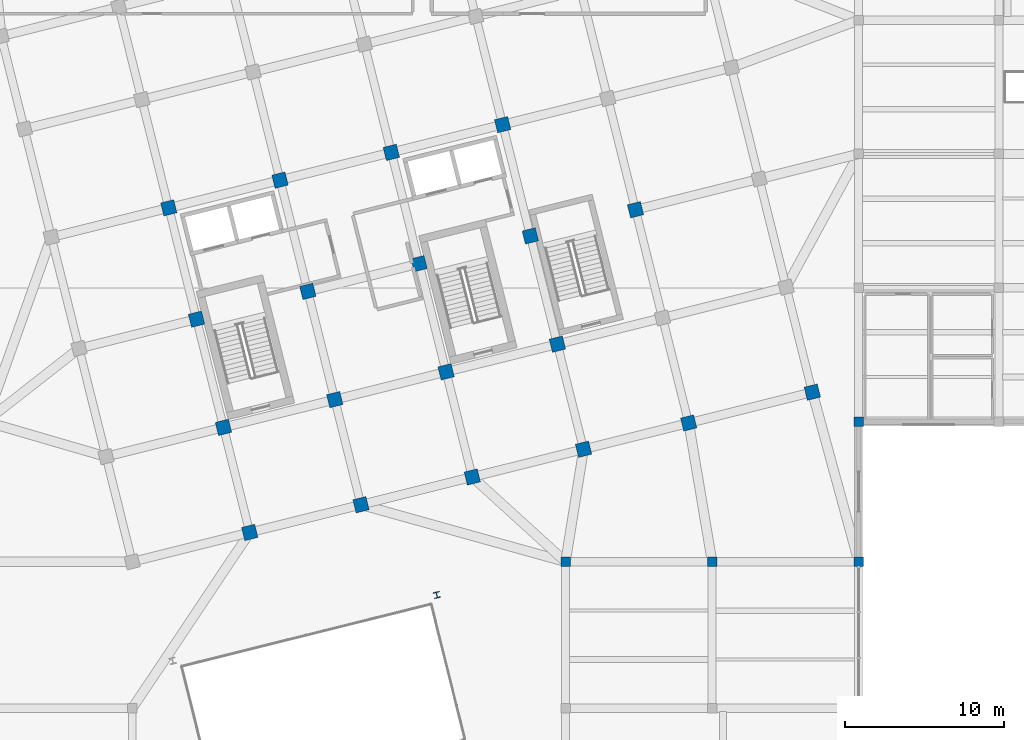
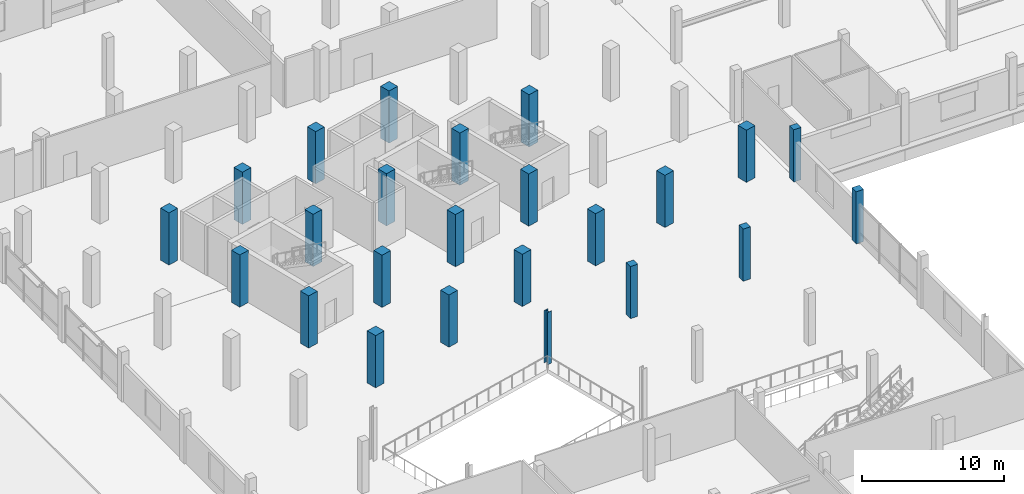
# One storey, part 7 of 77: 24 columns.
"""IFC4 building model written with IfcOpenShell, lengths in metres."""

import ifcopenshell
import ifcopenshell.guid

model = None  # the IFC model being written
_history = None  # IfcOwnerHistory: only IFC2X3 demands one
_inside = {}  # id of a spatial element -> (the spatial element, [elements in it])
_under = {}  # id of a project, library or spatial element -> (it, [spatial elements below it])
_declared = {}  # id of a project -> (the project, [libraries it declares])
_typed = {}  # id of a type object -> (the type object, [elements of that type])
_made_of = {}  # id of a material, layer set ... -> (it, [elements and type objects made of it])


def new_model(schema):
    """Start an empty IFC model of exactly this schema.

    Asked for "IFC4X3", IfcOpenShell would pick the latest addendum, in which some entities
    have other attributes; the version numbers below select the first issue.
    IFC2X3 requires an IfcOwnerHistory on every rooted entity: one is made here for all.
    """
    global model, _history
    if schema == "IFC4X3":
        model = ifcopenshell.file(schema_version=(4, 3, 0, 0))
    else:
        model = ifcopenshell.file(schema=schema)
    _inside.clear()
    _under.clear()
    _declared.clear()
    _typed.clear()
    _made_of.clear()
    _history = None
    if model.schema == "IFC2X3":
        org = make("IfcOrganization", Name="unknown")
        user = make(
            "IfcPersonAndOrganization",
            ThePerson=make("IfcPerson", FamilyName="unknown"),
            TheOrganization=org,
        )
        app = make(
            "IfcApplication",
            ApplicationDeveloper=org,
            Version="unknown",
            ApplicationFullName="unknown",
            ApplicationIdentifier="unknown",
        )
        _history = make(
            "IfcOwnerHistory",
            OwningUser=user,
            OwningApplication=app,
            ChangeAction="ADDED",
            CreationDate=0,
        )
    return model


def make(cls, **values):
    """One entity of the class cls with the attributes given. An attribute that is None is left unset."""
    return model.create_entity(
        cls, **{name: value for name, value in values.items() if value is not None}
    )


def rooted(cls, **values):
    """An entity with a GlobalId (a new one), such as an element, a storey or a relation."""
    return make(cls, GlobalId=ifcopenshell.guid.new(), OwnerHistory=_history, **values)


def si_unit(unit_type, name, prefix=None):
    """IfcSIUnit, for example si_unit("LENGTHUNIT", "METRE", prefix="MILLI")."""
    return make("IfcSIUnit", UnitType=unit_type, Prefix=prefix, Name=name)


def assignment(units):
    """IfcUnitAssignment: the units of a project."""
    return None if units is None else make("IfcUnitAssignment", Units=units)


def point(xyz):
    """IfcCartesianPoint."""
    return None if xyz is None else make("IfcCartesianPoint", Coordinates=xyz)


def direction(xyz):
    """IfcDirection."""
    return None if xyz is None else make("IfcDirection", DirectionRatios=xyz)


def frame(location, z_axis=None, x_axis=None):
    """IfcAxis2Placement3D, a coordinate frame: its origin and axes. An axis left out is left unset."""
    return make(
        "IfcAxis2Placement3D",
        Location=point(location),
        Axis=direction(z_axis),
        RefDirection=direction(x_axis),
    )


def frame_2d(location, x_axis=None):
    """IfcAxis2Placement2D, a coordinate frame in the plane: its origin and x axis."""
    return make(
        "IfcAxis2Placement2D", Location=point(location), RefDirection=direction(x_axis)
    )


def origin():
    """The frame at (0, 0, 0) with its axes left unset."""
    return frame((0.0, 0.0, 0.0))


def origin_2d():
    """The frame at (0, 0) in the plane with its x axis left unset."""
    return frame_2d((0.0, 0.0))


def place(relative_to, where):
    """IfcLocalPlacement: puts the frame where relative to a parent placement (None: the world)."""
    return make(
        "IfcLocalPlacement", PlacementRelTo=relative_to, RelativePlacement=where
    )


def context(
    kind, dimensions, precision=None, world=None, true_north=None, identifier=None
):
    """IfcGeometricRepresentationContext, for example the 3D "Model" context."""
    return make(
        "IfcGeometricRepresentationContext",
        ContextIdentifier=identifier,
        ContextType=kind,
        CoordinateSpaceDimension=dimensions,
        Precision=precision,
        WorldCoordinateSystem=world,
        TrueNorth=true_north,
    )


def subcontext(parent, identifier, kind, view, scale=None):
    """IfcGeometricRepresentationSubContext, for example "Body" below "Model"."""
    return make(
        "IfcGeometricRepresentationSubContext",
        ContextIdentifier=identifier,
        ContextType=kind,
        ParentContext=parent,
        TargetScale=scale,
        TargetView=view,
    )


def project(units=None, contexts=None):
    """IfcProject with its units and contexts."""
    return rooted(
        "IfcProject",
        Name="project",
        RepresentationContexts=contexts,
        UnitsInContext=assignment(units),
    )


def spatial(cls, under=None, at=None, **own):
    """A site, building, storey or space (cls), placed at a placement, below another one or the project."""
    s = rooted(cls, ObjectPlacement=at, **own)
    if under is not None:
        _under.setdefault(under.id(), (under, []))[1].append(s)
    return s


def profile(cls, at=None, kind="AREA", **sizes):
    """A parametric profile (cls). Its sizes go by their IFC names, for example OverallWidth=200.0."""
    return make(cls, ProfileType=kind, Position=at, **sizes)


def rectangle(**sizes):
    """IfcRectangleProfileDef."""
    return profile("IfcRectangleProfileDef", **sizes)


def i_section(**sizes):
    """IfcIShapeProfileDef."""
    return profile("IfcIShapeProfileDef", **sizes)


def extrude(swept, where, along, depth):
    """IfcExtrudedAreaSolid: the profile swept, set in the frame where, extruded along a direction by depth."""
    return make(
        "IfcExtrudedAreaSolid",
        SweptArea=swept,
        Position=where,
        ExtrudedDirection=direction(along),
        Depth=depth,
    )


def shape(context_of_items, identifier, shape_type, items):
    """IfcShapeRepresentation: the items that make up one representation, for example the "Body"."""
    return make(
        "IfcShapeRepresentation",
        ContextOfItems=context_of_items,
        RepresentationIdentifier=identifier,
        RepresentationType=shape_type,
        Items=items,
    )


def material(Name=None, Category=None):
    """IfcMaterial."""
    return make("IfcMaterial", Name=Name, Category=Category)


def material_profile(
    of_material, cross_section, Name=None, Category=None, Priority=None
):
    """IfcMaterialProfile: a cross section and its material."""
    return make(
        "IfcMaterialProfile",
        Name=Name,
        Material=of_material,
        Profile=cross_section,
        Priority=Priority,
        Category=Category,
    )


def profile_set(profiles, Name=None, composite=None):
    """IfcMaterialProfileSet."""
    return make(
        "IfcMaterialProfileSet",
        Name=Name,
        MaterialProfiles=profiles,
        CompositeProfile=composite,
    )


def made_of(thing, what):
    """Note that an element or type object is made of a material, layer set ...; save() writes the relation."""
    if what is not None:
        _made_of.setdefault(what.id(), (what, []))[1].append(thing)
    return thing


def type_object(cls, material=None, **own):
    """A type object (cls), such as IfcWallType, which elements share."""
    return made_of(rooted(cls, **own), material)


def element(
    cls,
    number,
    at=None,
    inside=None,
    cuts=None,
    type_object=None,
    material=None,
    context=None,
    identifier="Body",
    shape_type=None,
    held_by="IfcProductDefinitionShape",
    body=None,
    shapes=None,
    **own,
):
    """One element of the class cls, such as IfcWall. Its Tag is "e" and its number.

    at: its placement. inside: the storey or other place that contains it. cuts: it is an
    opening in that element (IfcRelVoidsElement). A single representation is given by context,
    identifier, shape_type and body (its items); several are given by shapes. held_by: the class
    of the entity that holds the representations. save() writes the other relations.
    """
    e = rooted(cls, Tag="e%d" % number, ObjectPlacement=at, **own)
    if body is not None:
        shapes = [shape(context, identifier, shape_type, body)]
    if shapes is not None:
        e.Representation = make(held_by, Representations=shapes)
    if inside is not None:
        _inside.setdefault(inside.id(), (inside, []))[1].append(e)
    if cuts is not None:
        rooted(
            "IfcRelVoidsElement", RelatingBuildingElement=cuts, RelatedOpeningElement=e
        )
    if type_object is not None:
        _typed.setdefault(type_object.id(), (type_object, []))[1].append(e)
    return made_of(e, material)


def aggregate(whole, parts):
    """IfcRelAggregates: a whole, such as a stair, and the parts it consists of."""
    return rooted("IfcRelAggregates", RelatingObject=whole, RelatedObjects=parts)


def save(model, path):
    """Write the relations noted so far, then the file.

    IfcRelAggregates (storeys below a building ...), IfcRelContainedInSpatialStructure (elements
    in a storey), IfcRelDefinesByType, IfcRelAssociatesMaterial and IfcRelDeclares: one each for
    every whole, place, type object, material and project.
    """
    for whole, parts in _under.values():
        aggregate(whole, parts)
    for where, things in _inside.values():
        rooted(
            "IfcRelContainedInSpatialStructure",
            RelatedElements=things,
            RelatingStructure=where,
        )
    for kind, things in _typed.values():
        rooted("IfcRelDefinesByType", RelatedObjects=things, RelatingType=kind)
    for what, things in _made_of.values():
        rooted("IfcRelAssociatesMaterial", RelatedObjects=things, RelatingMaterial=what)
    for by, libraries in _declared.values():
        rooted("IfcRelDeclares", RelatingContext=by, RelatedDefinitions=libraries)
    model.write(path)


model = new_model("IFC4")

# Units and contexts
model_context = context("Model", 3, precision=1e-05, world=origin(), true_north=direction((0.0, 1.0)))
body_context = subcontext(model_context, "Body", "Model", "MODEL_VIEW")
ifc_project = project(units=[si_unit("LENGTHUNIT", "METRE"), si_unit("AREAUNIT", "SQUARE_METRE"), si_unit("VOLUMEUNIT", "CUBIC_METRE"), si_unit("PLANEANGLEUNIT", "RADIAN"), si_unit("MASSUNIT", "GRAM", prefix="KILO")], contexts=[model_context])

# Site, building, storey
site_placement = place(None, origin())
site = spatial("IfcSite", under=ifc_project, at=site_placement, CompositionType="ELEMENT")
building_placement = place(site_placement, origin())
building = spatial("IfcBuilding", under=site, at=building_placement, Name="Meriwether Solvik Hall", CompositionType="ELEMENT")
storey_placement = place(building_placement, frame((0.0, 0.0, 9.89990234375)))
storey = spatial("IfcBuildingStorey", under=building, at=storey_placement, Name="L02", CompositionType="ELEMENT", Elevation=9.89990234375)

# Columns
ifc_material_1 = material(Name="Concrete C40/50", Category="concrete")
ifc_material_profile_1 = material_profile(ifc_material_1, rectangle(XDim=0.60009765625, YDim=0.60009765625, at=origin_2d()), Name="RCC-600X600")
ifc_profile_set_1 = profile_set([ifc_material_profile_1], Name="Concrete C40/50")
column_type_1 = type_object("IfcColumnType", Name="COL-RC-600", PredefinedType="COLUMN", material=ifc_profile_set_1)
for number, where, z_axis, x_axis, name in (
    (1, (95.800048828125, 41.199951171875, 0.0), (0.0, 0.0, 1.0), (1.0, 0.0, 0.0), "Podium Column 11/E (L02)"),
    (2, (105.0, 41.199951171875, 0.0), (0.0, 0.0, 1.0), (1.0, 0.0, 0.0), "Podium Column 12/E (L02)"),
    (3, (114.199951171875, 41.199951171875, 0.0), (0.0, 0.0, 1.0), (1.0, 0.0, 0.0), "Podium Column 13/E (L02)"),
    (4, (114.199951171875, 50.0, 0.0), (0.0, 0.0, 1.0), (1.0, 0.0, 0.0), "Podium Column 13/F (L02)"),
):
    element("IfcColumn", number, at=place(storey_placement, frame(where, z_axis=z_axis, x_axis=x_axis)), inside=storey, type_object=column_type_1, Name=name, PredefinedType="COLUMN", context=body_context, shape_type="SweptSolid", body=[
        extrude(rectangle(XDim=0.60009765625, YDim=0.60009765625, at=origin_2d()), origin(), (0.0, 0.0, 1.0), 4.5),
    ])
ifc_material_2 = material(Name="Concrete C40/50", Category="concrete")
ifc_material_profile_2 = material_profile(ifc_material_2, rectangle(XDim=0.85009765625, YDim=0.85009765625, at=origin_2d()), Name="RCC-850X850")
ifc_profile_set_2 = profile_set([ifc_material_profile_2], Name="Concrete C40/50")
column_type_2 = type_object("IfcColumnType", Name="COL-RC-850", PredefinedType="COLUMN", material=ifc_profile_set_2)
for number, where, z_axis, x_axis, name in (
    (5, (75.974365234375, 43.03857421875, 0.0), (0.0, 0.0, 1.0), (0.970295726276, 0.2419218956, 0.0), "Tower Column T2/TA (L02)"),
    (6, (74.3291015625, 49.63671875, 0.0), (0.0, 0.0, 1.0), (0.970295726276, 0.2419218956, 0.0), "Tower Column T2/TB (L02)"),
    (7, (72.6357421875, 56.4287109375, 0.0), (0.0, 0.0, 1.0), (0.970295726276, 0.2419218956, 0.0), "Tower Column T2/TC (L02)"),
    (8, (70.893798828125, 63.414794921875, 0.0), (0.0, 0.0, 1.0), (0.970295726276, 0.2419218956, 0.0), "Tower Column T2/TD (L02)"),
    (9, (82.96044921875, 44.780517578125, 0.0), (0.0, 0.0, 1.0), (0.970295726276, 0.2419218956, 0.0), "Tower Column T3/TA (L02)"),
    (10, (81.3154296875, 51.37841796875, 0.0), (0.0, 0.0, 1.0), (0.970295726276, 0.2419218956, 0.0), "Tower Column T3/TB (L02)"),
    (11, (79.621826171875, 58.17041015625, 0.0), (0.0, 0.0, 1.0), (0.970295726276, 0.2419218956, 0.0), "Tower Column T3/TC (L02)"),
    (12, (77.880126953125, 65.15673828125, 0.0), (0.0, 0.0, 1.0), (0.970295726276, 0.2419218956, 0.0), "Tower Column T3/TD (L02)"),
    (13, (89.946533203125, 46.522216796875, 0.0), (0.0, 0.0, 1.0), (0.970295726276, 0.2419218956, 0.0), "Tower Column T4/TA (L02)"),
    (14, (88.301513671875, 53.120361328125, 0.0), (0.0, 0.0, 1.0), (0.970295726276, 0.2419218956, 0.0), "Tower Column T4/TB (L02)"),
    (15, (86.60791015625, 59.912353515625, 0.0), (0.0, 0.0, 1.0), (0.970295726276, 0.2419218956, 0.0), "Tower Column T4/TC (L02)"),
    (16, (84.8662109375, 66.8984375, 0.0), (0.0, 0.0, 1.0), (0.970295726276, 0.2419218956, 0.0), "Tower Column T4/TD (L02)"),
    (17, (96.9326171875, 48.26416015625, 0.0), (0.0, 0.0, 1.0), (0.970295726276, 0.2419218956, 0.0), "Tower Column T5/TA (L02)"),
    (18, (95.28759765625, 54.862060546875, 0.0), (0.0, 0.0, 1.0), (0.970295726276, 0.2419218956, 0.0), "Tower Column T5/TB (L02)"),
    (19, (93.593994140625, 61.654296875, 0.0), (0.0, 0.0, 1.0), (0.970295726276, 0.2419218956, 0.0), "Tower Column T5/TC (L02)"),
    (20, (91.852294921875, 68.640380859375, 0.0), (0.0, 0.0, 1.0), (0.970295726276, 0.2419218956, 0.0), "Tower Column T5/TD (L02)"),
    (21, (103.53076171875, 49.9091796875, 0.0), (0.0, 0.0, 1.0), (0.970295726276, 0.2419218956, 0.0), "Tower Column T6/TA (L02)"),
    (22, (100.192138671875, 63.29931640625, 0.0), (0.0, 0.0, 1.0), (0.970295726276, 0.2419218956, 0.0), "Tower Column T6/TC (L02)"),
    (23, (111.29296875, 51.844482421875, 0.0), (0.0, 0.0, 1.0), (0.970295726276, 0.2419218956, 0.0), "Tower Column T7/TA (L02)"),
):
    element("IfcColumn", number, at=place(storey_placement, frame(where, z_axis=z_axis, x_axis=x_axis)), inside=storey, type_object=column_type_2, Name=name, PredefinedType="COLUMN", context=body_context, shape_type="SweptSolid", body=[
        extrude(rectangle(XDim=0.85009765625, YDim=0.85009765625, at=origin_2d()), origin(), (0.0, 0.0, 1.0), 4.5),
    ])
ifc_material_3 = material(Name="Steel A992 Grade 50", Category="steel")
ifc_material_profile_3 = material_profile(ifc_material_3, i_section(OverallWidth=0.3740234375, OverallDepth=0.3720703125, WebThickness=0.016357421875, FlangeThickness=0.026123046875, at=origin_2d()), Name="W14X132")
ifc_profile_set_3 = profile_set([ifc_material_profile_3], Name="Steel A992 Grade 50")
column_type_3 = type_object("IfcColumnType", Name="COL-STL-W14X132", PredefinedType="COLUMN", material=ifc_profile_set_3)
column_placement = place(storey_placement, frame((87.72265625, 39.1142578125, 0.0), z_axis=(0.0, 0.0, 1.0), x_axis=(0.970295726276, 0.2419218956, 0.0)))
element("IfcColumn", 24, at=column_placement, inside=storey, type_object=column_type_3, Name="Atrium Cleft Corner Column NE (L02)", PredefinedType="COLUMN", context=body_context, shape_type="SweptSolid", body=[
    extrude(i_section(OverallWidth=0.3740234375, OverallDepth=0.3720703125, WebThickness=0.016357421875, FlangeThickness=0.026123046875, at=origin_2d()), origin(), (0.0, 0.0, 1.0), 4.5),
])

save(model, "model.ifc")
